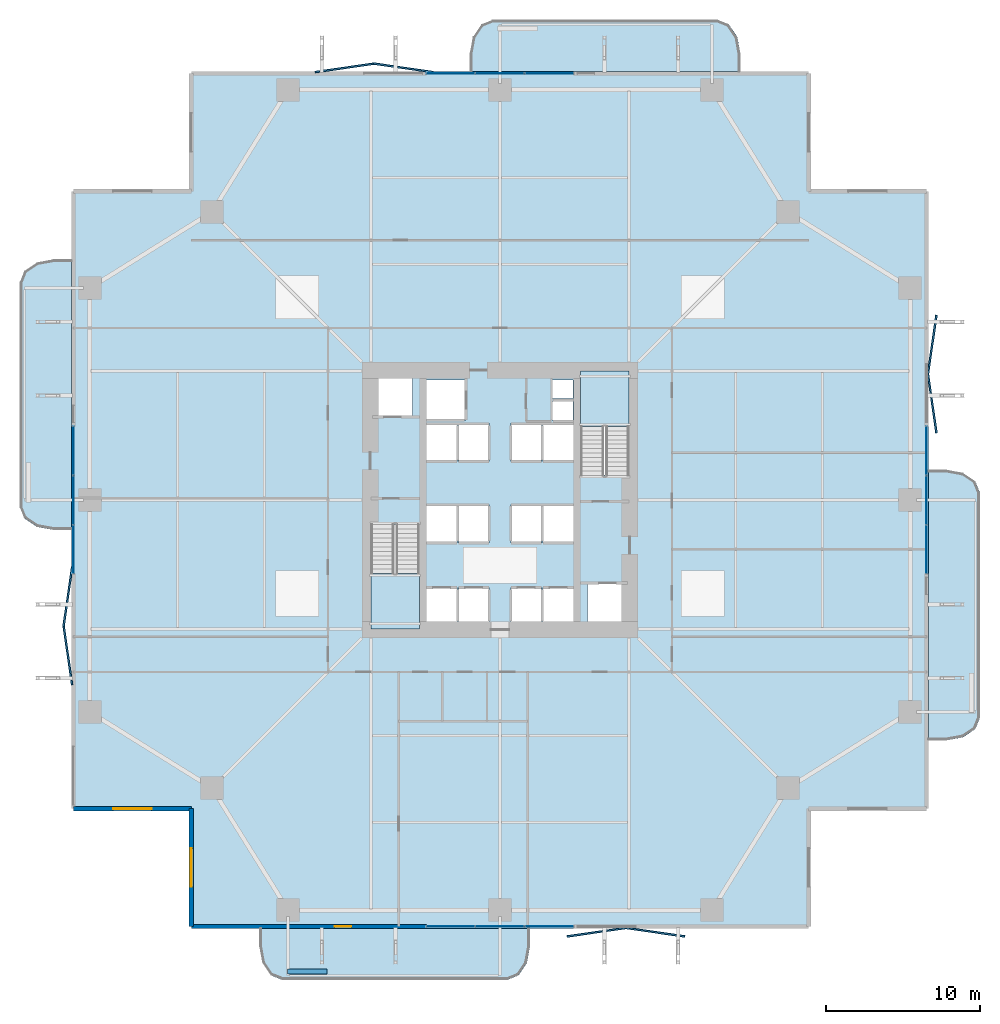
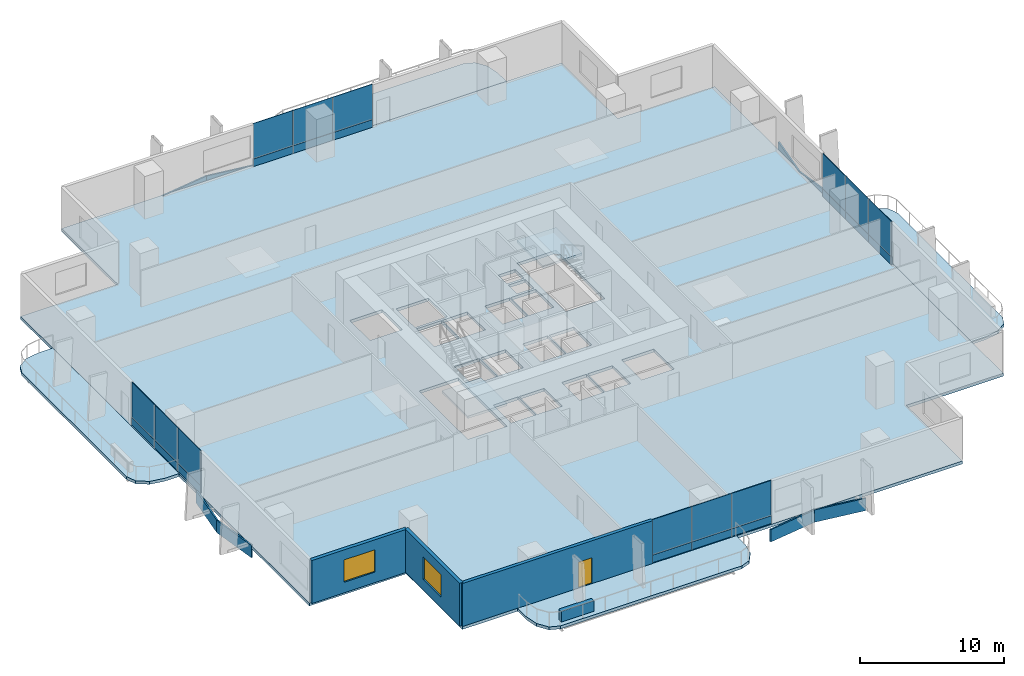
# One storey, part 16 of 23: 32 plates, 7 slabs, 4 walls, 2 windows, 1 door, 3 openings, 6 elements without a shape of their own.
"""IFC4 building model written with IfcOpenShell, lengths in metres."""

from ifc_helpers import new_model, si_unit, direction, frame, frame_2d, origin, origin_2d, place, context, subcontext, project, spatial, polyline, rectangle, outline, extrude, material, layer, layer_set, type_object, element, fill, aggregate, save


model = new_model("IFC4")

# Units and contexts
model_context = context("Model", 3, precision=1e-05, world=origin(), true_north=direction((0.0, 1.0)))
body_context = subcontext(model_context, "Body", "Model", "MODEL_VIEW")
ifc_project = project(units=[si_unit("LENGTHUNIT", "METRE"), si_unit("AREAUNIT", "SQUARE_METRE"), si_unit("VOLUMEUNIT", "CUBIC_METRE"), si_unit("PLANEANGLEUNIT", "RADIAN"), si_unit("MASSUNIT", "GRAM", prefix="KILO")], contexts=[model_context])

# Site, building, storey
site_placement = place(None, origin())
site = spatial("IfcSite", under=ifc_project, at=site_placement, CompositionType="ELEMENT")
building_placement = place(site_placement, origin())
building = spatial("IfcBuilding", under=site, at=building_placement, Name="Belovzor Exchange Tower", CompositionType="ELEMENT")
storey_placement = place(building_placement, frame((0.0, 0.0, 65.10009765625)))
storey = spatial("IfcBuildingStorey", under=building, at=storey_placement, Name="L15", CompositionType="ELEMENT", Elevation=65.10009765625)

# Slab
ifc_material_1 = material(Name="Concrete C40/50", Category="concrete")
ifc_layer_1 = layer(ifc_material_1, 0.25)
ifc_layer_set_1 = layer_set([ifc_layer_1], Name="Concrete C40/50")
slab_type_1 = type_object("IfcSlabType", Name="Composite Concrete Floor Deck Slab 250", PredefinedType="FLOOR", material=ifc_layer_set_1)
slab_1_placement = place(storey_placement, frame((0.0, 0.0, -0.25)))
element("IfcSlab", 1, at=slab_1_placement, inside=storey, type_object=slab_type_1, Name="SL-F250 Structural Slab L15", PredefinedType="FLOOR", context=body_context, shape_type="SweptSolid", body=[
    extrude(outline(polyline([(8.699951171875, 0.89990234375), (48.89990234375, 0.89990234375), (48.89990234375, 8.699951171875), (56.699951171875, 8.699951171875), (56.699951171875, 48.89990234375), (48.89990234375, 48.89990234375), (48.89990234375, 56.699951171875), (8.699951171875, 56.699951171875), (8.699951171875, 48.89990234375), (0.89990234375, 48.89990234375), (0.89990234375, 8.699951171875), (8.699951171875, 8.699951171875), (8.699951171875, 0.89990234375)]), holes=[polyline([(20.39990234375, 27.175048828125), (20.39990234375, 20.39990234375), (23.550048828125, 20.39990234375), (23.550048828125, 27.175048828125), (20.39990234375, 27.175048828125)]), polyline([(37.199951171875, 30.425048828125), (37.199951171875, 37.199951171875), (34.050048828125, 37.199951171875), (34.050048828125, 30.425048828125), (37.199951171875, 30.425048828125)]), polyline([(20.5, 34.199951171875), (23.10009765625, 34.199951171875), (23.10009765625, 37.0), (20.5, 37.0), (20.5, 34.199951171875)]), polyline([(34.5, 20.60009765625), (37.10009765625, 20.60009765625), (37.10009765625, 23.39990234375), (34.5, 23.39990234375), (34.5, 20.60009765625)]), polyline([(24.0, 34.0), (26.60009765625, 34.0), (26.60009765625, 36.60009765625), (24.0, 36.60009765625), (24.0, 34.0)]), polyline([(24.0, 20.60009765625), (26.0, 20.60009765625), (26.0, 23.10009765625), (24.0, 23.10009765625), (24.0, 20.60009765625)]), polyline([(26.10009765625, 20.60009765625), (28.10009765625, 20.60009765625), (28.10009765625, 23.10009765625), (26.10009765625, 23.10009765625), (26.10009765625, 20.60009765625)]), polyline([(29.5, 20.60009765625), (31.5, 20.60009765625), (31.5, 23.10009765625), (29.5, 23.10009765625), (29.5, 20.60009765625)]), polyline([(31.60009765625, 20.60009765625), (33.60009765625, 20.60009765625), (33.60009765625, 23.10009765625), (31.60009765625, 23.10009765625), (31.60009765625, 20.60009765625)]), polyline([(24.0, 26.0), (26.0, 26.0), (26.0, 28.5), (24.0, 28.5), (24.0, 26.0)]), polyline([(26.10009765625, 26.0), (28.10009765625, 26.0), (28.10009765625, 28.5), (26.10009765625, 28.5), (26.10009765625, 26.0)]), polyline([(29.5, 26.0), (31.5, 26.0), (31.5, 28.5), (29.5, 28.5), (29.5, 26.0)]), polyline([(31.60009765625, 26.0), (33.60009765625, 26.0), (33.60009765625, 28.5), (31.60009765625, 28.5), (31.60009765625, 26.0)]), polyline([(24.0, 31.300048828125), (26.0, 31.300048828125), (26.0, 33.800048828125), (24.0, 33.800048828125), (24.0, 31.300048828125)]), polyline([(26.10009765625, 31.300048828125), (28.10009765625, 31.300048828125), (28.10009765625, 33.800048828125), (26.10009765625, 33.800048828125), (26.10009765625, 31.300048828125)]), polyline([(29.5, 31.300048828125), (31.5, 31.300048828125), (31.5, 33.800048828125), (29.5, 33.800048828125), (29.5, 31.300048828125)]), polyline([(31.60009765625, 31.300048828125), (33.60009765625, 31.300048828125), (33.60009765625, 33.800048828125), (31.60009765625, 33.800048828125), (31.60009765625, 31.300048828125)]), polyline([(32.199951171875, 34.0), (33.550048828125, 34.0), (33.550048828125, 35.199951171875), (32.199951171875, 35.199951171875), (32.199951171875, 34.0)]), polyline([(32.199951171875, 35.39990234375), (33.550048828125, 35.39990234375), (33.550048828125, 36.60009765625), (32.199951171875, 36.60009765625), (32.199951171875, 35.39990234375)])]), origin(), (0.0, 0.0, 1.0), 0.25),
])

# Plates
ifc_material_2 = material(Name="Extruded Architectural Terracotta", Category="masonry")
ifc_layer_2 = layer(ifc_material_2, 0.1201171875)
ifc_layer_set_2 = layer_set([ifc_layer_2], Name="Extruded Architectural Terracotta")
plate_type_1 = type_object("IfcPlateType", Name="Folded Zigzag Terracotta Spandrel Louvre 80", PredefinedType="USERDEFINED", material=ifc_layer_set_2)
for number, where, z_axis, x_axis, name in (
    (2, (18.699951171875, 56.93505859375, -1.03515625), (0.0, 0.0, 1.0), (0.989686419138, 0.143250800258, 0.0), "LVR-ZZ1 Zigzag Terracotta Spandrel Louvre L15 N1A"),
    (3, (22.5, 56.93505859375, -1.03515625), (0.0, 0.0, 1.0), (0.989686419138, -0.143250800258, 0.0), "LVR-ZZ1 Zigzag Terracotta Spandrel Louvre L15 N1B"),
    (4, (0.6650390625, 18.699951171875, -1.03515625), (0.0, 0.0, 1.0), (-0.143250800258, 0.989686419138, 0.0), "LVR-ZZ1 Zigzag Terracotta Spandrel Louvre L15 W1A"),
    (5, (0.6650390625, 22.5, -1.03515625), (0.0, 0.0, 1.0), (0.143250800258, 0.989686419138, 0.0), "LVR-ZZ1 Zigzag Terracotta Spandrel Louvre L15 W1B"),
    (6, (35.10009765625, 0.6650390625, -1.03515625), (0.0, 0.0, 1.0), (0.989686419138, 0.143250800258, 0.0), "LVR-ZZ1 Zigzag Terracotta Spandrel Louvre L15 S2A"),
    (7, (38.89990234375, 0.6650390625, -1.03515625), (0.0, 0.0, 1.0), (0.989686419138, -0.143250800258, 0.0), "LVR-ZZ1 Zigzag Terracotta Spandrel Louvre L15 S2B"),
    (8, (56.93505859375, 35.10009765625, -1.03515625), (0.0, 0.0, 1.0), (-0.143250800258, 0.989686419138, 0.0), "LVR-ZZ1 Zigzag Terracotta Spandrel Louvre L15 E2A"),
    (9, (56.93505859375, 38.89990234375, -1.03515625), (0.0, 0.0, 1.0), (0.143250800258, 0.989686419138, 0.0), "LVR-ZZ1 Zigzag Terracotta Spandrel Louvre L15 E2B"),
):
    element("IfcPlate", number, at=place(storey_placement, frame(where, z_axis=z_axis, x_axis=x_axis)), inside=storey, type_object=plate_type_1, Name=name, ObjectType="SPANDREL_LOUVRE", PredefinedType="USERDEFINED", context=body_context, shape_type="SweptSolid", body=[
        extrude(rectangle(XDim=3.919921875, YDim=0.1201171875, at=origin_2d()), origin(), (0.0, 0.0, 1.0), 1.050048828125),
    ])

# Curtain wall, plates
ifc_material_3 = material(Name="Anodised Aluminium Framing", Category="aluminium")
ifc_layer_3 = layer(ifc_material_3, 0.179931640625)
ifc_layer_set_3 = layer_set([ifc_layer_3], Name="Anodised Aluminium Framing")
curtain_wall_type = type_object("IfcCurtainWallType", Name="Recessed Loggia Low-Iron Triple-Glazed Curtain Wall", PredefinedType="NOTDEFINED", material=ifc_layer_set_3)
curtain_wall_1_placement = place(storey_placement, origin())
curtain_wall_1 = element("IfcCurtainWall", 10, at=curtain_wall_1_placement, inside=storey, type_object=curtain_wall_type, Name="CW3 Recessed Loggia Low-Iron Triple-Glazed Curtain Wall L15", PredefinedType="NOTDEFINED")
ifc_material_4 = material(Name="Solar-Control Triple Glazing", Category="glass")
ifc_layer_4 = layer(ifc_material_4, 0.0439453125)
ifc_layer_set_4 = layer_set([ifc_layer_4], Name="Solar-Control Triple Glazing")
plate_type_2 = type_object("IfcPlateType", Name="Insulated Solar Glazing Curtain Panel 44", PredefinedType="CURTAIN_PANEL", material=ifc_layer_set_4)
plate_1_placement = place(storey_placement, frame((32.0, 1.030029296875, 0.65185546875), z_axis=(0.0, 0.0, 1.0), x_axis=(-1.0, 0.0, 0.0)))
plate_1 = element("IfcPlate", 11, at=plate_1_placement, type_object=plate_type_2, Name="GLZ-44 Glazed Curtain Panel 1", PredefinedType="CURTAIN_PANEL", context=body_context, shape_type="SweptSolid", body=[
    extrude(rectangle(XDim=3.18408203125, YDim=0.0439453125, at=origin_2d()), origin(), (0.0, 0.0, 1.0), 2.998046875),
])
plate_2_placement = place(storey_placement, frame((28.800048828125, 1.030029296875, 0.65185546875), z_axis=(0.0, 0.0, 1.0), x_axis=(-1.0, 0.0, 0.0)))
plate_2 = element("IfcPlate", 12, at=plate_2_placement, type_object=plate_type_2, Name="GLZ-44 Glazed Curtain Panel 2", PredefinedType="CURTAIN_PANEL", context=body_context, shape_type="SweptSolid", body=[
    extrude(rectangle(XDim=3.18408203125, YDim=0.0439453125, at=origin_2d()), origin(), (0.0, 0.0, 1.0), 2.998046875),
])
plate_3_placement = place(storey_placement, frame((25.60009765625, 1.030029296875, 0.65185546875), z_axis=(0.0, 0.0, 1.0), x_axis=(-1.0, 0.0, 0.0)))
plate_3 = element("IfcPlate", 13, at=plate_3_placement, type_object=plate_type_2, Name="GLZ-44 Glazed Curtain Panel 3", PredefinedType="CURTAIN_PANEL", context=body_context, shape_type="SweptSolid", body=[
    extrude(rectangle(XDim=3.18408203125, YDim=0.0439453125, at=origin_2d()), origin(), (0.0, 0.0, 1.0), 2.998046875),
])

curtain_wall_2_placement = place(storey_placement, origin())
curtain_wall_2 = element("IfcCurtainWall", 14, at=curtain_wall_2_placement, inside=storey, type_object=curtain_wall_type, Name="CW3 Recessed Loggia Low-Iron Triple-Glazed Curtain Wall L15", PredefinedType="NOTDEFINED")
plate_4_placement = place(storey_placement, frame((25.60009765625, 56.570068359375, 0.65185546875), z_axis=(0.0, 0.0, 1.0), x_axis=(1.0, 0.0, 0.0)))
plate_4 = element("IfcPlate", 15, at=plate_4_placement, type_object=plate_type_2, Name="GLZ-44 Glazed Curtain Panel 1", PredefinedType="CURTAIN_PANEL", context=body_context, shape_type="SweptSolid", body=[
    extrude(rectangle(XDim=3.18408203125, YDim=0.0439453125, at=origin_2d()), origin(), (0.0, 0.0, 1.0), 2.998046875),
])
plate_5_placement = place(storey_placement, frame((28.800048828125, 56.570068359375, 0.65185546875), z_axis=(0.0, 0.0, 1.0), x_axis=(1.0, 0.0, 0.0)))
plate_5 = element("IfcPlate", 16, at=plate_5_placement, type_object=plate_type_2, Name="GLZ-44 Glazed Curtain Panel 2", PredefinedType="CURTAIN_PANEL", context=body_context, shape_type="SweptSolid", body=[
    extrude(rectangle(XDim=3.18408203125, YDim=0.0439453125, at=origin_2d()), origin(), (0.0, 0.0, 1.0), 2.998046875),
])
plate_6_placement = place(storey_placement, frame((32.0, 56.570068359375, 0.65185546875), z_axis=(0.0, 0.0, 1.0), x_axis=(1.0, 0.0, 0.0)))
plate_6 = element("IfcPlate", 17, at=plate_6_placement, type_object=plate_type_2, Name="GLZ-44 Glazed Curtain Panel 3", PredefinedType="CURTAIN_PANEL", context=body_context, shape_type="SweptSolid", body=[
    extrude(rectangle(XDim=3.18408203125, YDim=0.0439453125, at=origin_2d()), origin(), (0.0, 0.0, 1.0), 2.998046875),
])

curtain_wall_3_placement = place(storey_placement, origin())
curtain_wall_3 = element("IfcCurtainWall", 18, at=curtain_wall_3_placement, inside=storey, type_object=curtain_wall_type, Name="CW3 Recessed Loggia Low-Iron Triple-Glazed Curtain Wall L15", PredefinedType="NOTDEFINED")
plate_7_placement = place(storey_placement, frame((1.030029296875, 25.60009765625, 0.65185546875), z_axis=(0.0, 0.0, 1.0), x_axis=(0.0, 1.0, 0.0)))
plate_7 = element("IfcPlate", 19, at=plate_7_placement, type_object=plate_type_2, Name="GLZ-44 Glazed Curtain Panel 1", PredefinedType="CURTAIN_PANEL", context=body_context, shape_type="SweptSolid", body=[
    extrude(rectangle(XDim=3.18408203125, YDim=0.0439453125, at=origin_2d()), origin(), (0.0, 0.0, 1.0), 2.998046875),
])
plate_8_placement = place(storey_placement, frame((1.030029296875, 28.800048828125, 0.65185546875), z_axis=(0.0, 0.0, 1.0), x_axis=(0.0, 1.0, 0.0)))
plate_8 = element("IfcPlate", 20, at=plate_8_placement, type_object=plate_type_2, Name="GLZ-44 Glazed Curtain Panel 2", PredefinedType="CURTAIN_PANEL", context=body_context, shape_type="SweptSolid", body=[
    extrude(rectangle(XDim=3.18408203125, YDim=0.0439453125, at=origin_2d()), origin(), (0.0, 0.0, 1.0), 2.998046875),
])
plate_9_placement = place(storey_placement, frame((1.030029296875, 32.0, 0.65185546875), z_axis=(0.0, 0.0, 1.0), x_axis=(0.0, 1.0, 0.0)))
plate_9 = element("IfcPlate", 21, at=plate_9_placement, type_object=plate_type_2, Name="GLZ-44 Glazed Curtain Panel 3", PredefinedType="CURTAIN_PANEL", context=body_context, shape_type="SweptSolid", body=[
    extrude(rectangle(XDim=3.18408203125, YDim=0.0439453125, at=origin_2d()), origin(), (0.0, 0.0, 1.0), 2.998046875),
])

curtain_wall_4_placement = place(storey_placement, origin())
curtain_wall_4 = element("IfcCurtainWall", 22, at=curtain_wall_4_placement, inside=storey, type_object=curtain_wall_type, Name="CW3 Recessed Loggia Low-Iron Triple-Glazed Curtain Wall L15", PredefinedType="NOTDEFINED")
plate_10_placement = place(storey_placement, frame((56.570068359375, 32.0, 0.65185546875), z_axis=(0.0, 0.0, 1.0), x_axis=(0.0, -1.0, 0.0)))
plate_10 = element("IfcPlate", 23, at=plate_10_placement, type_object=plate_type_2, Name="GLZ-44 Glazed Curtain Panel 1", PredefinedType="CURTAIN_PANEL", context=body_context, shape_type="SweptSolid", body=[
    extrude(rectangle(XDim=3.18408203125, YDim=0.0439453125, at=origin_2d()), origin(), (0.0, 0.0, 1.0), 2.998046875),
])
plate_11_placement = place(storey_placement, frame((56.570068359375, 28.800048828125, 0.65185546875), z_axis=(0.0, 0.0, 1.0), x_axis=(0.0, -1.0, 0.0)))
plate_11 = element("IfcPlate", 24, at=plate_11_placement, type_object=plate_type_2, Name="GLZ-44 Glazed Curtain Panel 2", PredefinedType="CURTAIN_PANEL", context=body_context, shape_type="SweptSolid", body=[
    extrude(rectangle(XDim=3.18408203125, YDim=0.0439453125, at=origin_2d()), origin(), (0.0, 0.0, 1.0), 2.998046875),
])
plate_12_placement = place(storey_placement, frame((56.570068359375, 25.60009765625, 0.65185546875), z_axis=(0.0, 0.0, 1.0), x_axis=(0.0, -1.0, 0.0)))
plate_12 = element("IfcPlate", 25, at=plate_12_placement, type_object=plate_type_2, Name="GLZ-44 Glazed Curtain Panel 3", PredefinedType="CURTAIN_PANEL", context=body_context, shape_type="SweptSolid", body=[
    extrude(rectangle(XDim=3.18408203125, YDim=0.0439453125, at=origin_2d()), origin(), (0.0, 0.0, 1.0), 2.998046875),
])

# Stair, slab
ifc_material_5 = material(Name="Concrete C40/50", Category="concrete")
stair_type = type_object("IfcStairType", Name="Reinforced Concrete Dogleg Escape Stair 1350", PredefinedType="HALF_TURN_STAIR", material=ifc_material_5)
stair_1_placement = place(storey_placement, origin())
stair_1 = element("IfcStair", 26, at=stair_1_placement, inside=storey, type_object=stair_type, Name="L15 ST-1", PredefinedType="HALF_TURN_STAIR")
ifc_material_6 = material(Name="Concrete C40/50", Category="concrete")
ifc_layer_5 = layer(ifc_material_6, 0.199951171875)
ifc_layer_set_5 = layer_set([ifc_layer_5], Name="Concrete C40/50")
slab_type_2 = type_object("IfcSlabType", Name="Reinforced Concrete Stair Half-Landing Slab 200", PredefinedType="LANDING", material=ifc_layer_set_5)
slab_2_placement = place(storey_placement, frame((0.0, 0.0, 1.75)))
slab_2 = element("IfcSlab", 27, at=slab_2_placement, type_object=slab_type_2, Name="ST-1 landing 1", PredefinedType="LANDING", context=body_context, shape_type="SweptSolid", body=[
    extrude(outline(polyline([(20.39990234375, 24.010009765625), (20.39990234375, 20.39990234375), (23.550048828125, 20.39990234375), (23.550048828125, 24.010009765625), (20.39990234375, 24.010009765625)])), origin(), (0.0, 0.0, 1.0), 0.199951171875),
])
aggregate(stair_1, [slab_2])

stair_2_placement = place(storey_placement, origin())
stair_2 = element("IfcStair", 28, at=stair_2_placement, inside=storey, type_object=stair_type, Name="L15 ST-2", PredefinedType="HALF_TURN_STAIR")
slab_3_placement = place(storey_placement, frame((0.0, 0.0, 1.75)))
slab_3 = element("IfcSlab", 29, at=slab_3_placement, type_object=slab_type_2, Name="ST-2 landing 1", PredefinedType="LANDING", context=body_context, shape_type="SweptSolid", body=[
    extrude(outline(polyline([(37.199951171875, 33.590087890625), (37.199951171875, 37.199951171875), (34.050048828125, 37.199951171875), (34.050048828125, 33.590087890625), (37.199951171875, 33.590087890625)])), origin(), (0.0, 0.0, 1.0), 0.199951171875),
])
aggregate(stair_2, [slab_3])

# Plate
ifc_material_7 = material(Name="Extruded Architectural Terracotta", Category="masonry")
ifc_layer_6 = layer(ifc_material_7, 0.090087890625)
ifc_layer_set_6 = layer_set([ifc_layer_6], Name="Extruded Architectural Terracotta")
plate_type_3 = type_object("IfcPlateType", Name="Terracotta Shadow-Box Spandrel Panel 90", PredefinedType="CURTAIN_PANEL", material=ifc_layer_set_6)
plate_13_placement = place(storey_placement, frame((32.0, 1.030029296875, 0.0), z_axis=(0.0, 0.0, 1.0), x_axis=(-1.0, 0.0, 0.0)))
plate_13 = element("IfcPlate", 30, at=plate_13_placement, type_object=plate_type_3, Name="SPD-90 Spandrel Panel 1", PredefinedType="CURTAIN_PANEL", context=body_context, shape_type="SweptSolid", body=[
    extrude(rectangle(XDim=3.18408203125, YDim=0.090087890625, at=origin_2d()), origin(), (0.0, 0.0, 1.0), 0.64794921875),
])

plate_14_placement = place(storey_placement, frame((28.800048828125, 1.030029296875, 0.0), z_axis=(0.0, 0.0, 1.0), x_axis=(-1.0, 0.0, 0.0)))
plate_14 = element("IfcPlate", 31, at=plate_14_placement, type_object=plate_type_3, Name="SPD-90 Spandrel Panel 2", PredefinedType="CURTAIN_PANEL", context=body_context, shape_type="SweptSolid", body=[
    extrude(rectangle(XDim=3.18408203125, YDim=0.090087890625, at=origin_2d()), origin(), (0.0, 0.0, 1.0), 0.64794921875),
])

plate_15_placement = place(storey_placement, frame((25.60009765625, 1.030029296875, 0.0), z_axis=(0.0, 0.0, 1.0), x_axis=(-1.0, 0.0, 0.0)))
plate_15 = element("IfcPlate", 32, at=plate_15_placement, type_object=plate_type_3, Name="SPD-90 Spandrel Panel 3", PredefinedType="CURTAIN_PANEL", context=body_context, shape_type="SweptSolid", body=[
    extrude(rectangle(XDim=3.18408203125, YDim=0.090087890625, at=origin_2d()), origin(), (0.0, 0.0, 1.0), 0.64794921875),
])

aggregate(curtain_wall_1, [plate_13, plate_1, plate_14, plate_2, plate_15, plate_3])

plate_16_placement = place(storey_placement, frame((25.60009765625, 56.570068359375, 0.0), z_axis=(0.0, 0.0, 1.0), x_axis=(1.0, 0.0, 0.0)))
plate_16 = element("IfcPlate", 33, at=plate_16_placement, type_object=plate_type_3, Name="SPD-90 Spandrel Panel 1", PredefinedType="CURTAIN_PANEL", context=body_context, shape_type="SweptSolid", body=[
    extrude(rectangle(XDim=3.18408203125, YDim=0.090087890625, at=origin_2d()), origin(), (0.0, 0.0, 1.0), 0.64794921875),
])

plate_17_placement = place(storey_placement, frame((28.800048828125, 56.570068359375, 0.0), z_axis=(0.0, 0.0, 1.0), x_axis=(1.0, 0.0, 0.0)))
plate_17 = element("IfcPlate", 34, at=plate_17_placement, type_object=plate_type_3, Name="SPD-90 Spandrel Panel 2", PredefinedType="CURTAIN_PANEL", context=body_context, shape_type="SweptSolid", body=[
    extrude(rectangle(XDim=3.18408203125, YDim=0.090087890625, at=origin_2d()), origin(), (0.0, 0.0, 1.0), 0.64794921875),
])

plate_18_placement = place(storey_placement, frame((32.0, 56.570068359375, 0.0), z_axis=(0.0, 0.0, 1.0), x_axis=(1.0, 0.0, 0.0)))
plate_18 = element("IfcPlate", 35, at=plate_18_placement, type_object=plate_type_3, Name="SPD-90 Spandrel Panel 3", PredefinedType="CURTAIN_PANEL", context=body_context, shape_type="SweptSolid", body=[
    extrude(rectangle(XDim=3.18408203125, YDim=0.090087890625, at=origin_2d()), origin(), (0.0, 0.0, 1.0), 0.64794921875),
])

aggregate(curtain_wall_2, [plate_16, plate_4, plate_17, plate_5, plate_18, plate_6])

plate_19_placement = place(storey_placement, frame((1.030029296875, 25.60009765625, 0.0), z_axis=(0.0, 0.0, 1.0), x_axis=(0.0, 1.0, 0.0)))
plate_19 = element("IfcPlate", 36, at=plate_19_placement, type_object=plate_type_3, Name="SPD-90 Spandrel Panel 1", PredefinedType="CURTAIN_PANEL", context=body_context, shape_type="SweptSolid", body=[
    extrude(rectangle(XDim=3.18408203125, YDim=0.090087890625, at=origin_2d()), origin(), (0.0, 0.0, 1.0), 0.64794921875),
])

plate_20_placement = place(storey_placement, frame((1.030029296875, 28.800048828125, 0.0), z_axis=(0.0, 0.0, 1.0), x_axis=(0.0, 1.0, 0.0)))
plate_20 = element("IfcPlate", 37, at=plate_20_placement, type_object=plate_type_3, Name="SPD-90 Spandrel Panel 2", PredefinedType="CURTAIN_PANEL", context=body_context, shape_type="SweptSolid", body=[
    extrude(rectangle(XDim=3.18408203125, YDim=0.090087890625, at=origin_2d()), origin(), (0.0, 0.0, 1.0), 0.64794921875),
])

plate_21_placement = place(storey_placement, frame((1.030029296875, 32.0, 0.0), z_axis=(0.0, 0.0, 1.0), x_axis=(0.0, 1.0, 0.0)))
plate_21 = element("IfcPlate", 38, at=plate_21_placement, type_object=plate_type_3, Name="SPD-90 Spandrel Panel 3", PredefinedType="CURTAIN_PANEL", context=body_context, shape_type="SweptSolid", body=[
    extrude(rectangle(XDim=3.18408203125, YDim=0.090087890625, at=origin_2d()), origin(), (0.0, 0.0, 1.0), 0.64794921875),
])

aggregate(curtain_wall_3, [plate_19, plate_7, plate_20, plate_8, plate_21, plate_9])

plate_22_placement = place(storey_placement, frame((56.570068359375, 32.0, 0.0), z_axis=(0.0, 0.0, 1.0), x_axis=(0.0, -1.0, 0.0)))
plate_22 = element("IfcPlate", 39, at=plate_22_placement, type_object=plate_type_3, Name="SPD-90 Spandrel Panel 1", PredefinedType="CURTAIN_PANEL", context=body_context, shape_type="SweptSolid", body=[
    extrude(rectangle(XDim=3.18408203125, YDim=0.090087890625, at=origin_2d()), origin(), (0.0, 0.0, 1.0), 0.64794921875),
])

plate_23_placement = place(storey_placement, frame((56.570068359375, 28.800048828125, 0.0), z_axis=(0.0, 0.0, 1.0), x_axis=(0.0, -1.0, 0.0)))
plate_23 = element("IfcPlate", 40, at=plate_23_placement, type_object=plate_type_3, Name="SPD-90 Spandrel Panel 2", PredefinedType="CURTAIN_PANEL", context=body_context, shape_type="SweptSolid", body=[
    extrude(rectangle(XDim=3.18408203125, YDim=0.090087890625, at=origin_2d()), origin(), (0.0, 0.0, 1.0), 0.64794921875),
])

plate_24_placement = place(storey_placement, frame((56.570068359375, 25.60009765625, 0.0), z_axis=(0.0, 0.0, 1.0), x_axis=(0.0, -1.0, 0.0)))
plate_24 = element("IfcPlate", 41, at=plate_24_placement, type_object=plate_type_3, Name="SPD-90 Spandrel Panel 3", PredefinedType="CURTAIN_PANEL", context=body_context, shape_type="SweptSolid", body=[
    extrude(rectangle(XDim=3.18408203125, YDim=0.090087890625, at=origin_2d()), origin(), (0.0, 0.0, 1.0), 0.64794921875),
])

aggregate(curtain_wall_4, [plate_22, plate_10, plate_23, plate_11, plate_24, plate_12])

# Slabs
ifc_material_8 = material(Name="Concrete C40/50", Category="concrete")
ifc_layer_7 = layer(ifc_material_8, 0.25)
ifc_layer_set_7 = layer_set([ifc_layer_7], Name="Concrete C40/50")
slab_type_3 = type_object("IfcSlabType", Name="Thermally Broken Planted Balcony Slab 250", PredefinedType="FLOOR", material=ifc_layer_set_7)
slab_4_placement = place(storey_placement, frame((0.0, 0.0, -0.25)))
element("IfcSlab", 42, at=slab_4_placement, inside=storey, type_object=slab_type_3, Name="SL-BAL220 Planted Balcony Loggia L15 South", PredefinedType="FLOOR", context=body_context, shape_type="SweptSolid", body=[
    extrude(outline(polyline([(13.14990234375, 0.9150390625), (13.14990234375, -0.25), (13.35107421875, -1.35009765625), (13.89990234375, -2.155029296875), (14.64990234375, -2.449951171875), (29.25, -2.449951171875), (30.0, -2.155029296875), (30.549072265625, -1.35009765625), (30.75, -0.25), (30.75, 0.9150390625), (13.14990234375, 0.9150390625)])), origin(), (0.0, 0.0, 1.0), 0.25),
])
slab_5_placement = place(storey_placement, frame((0.0, 0.0, -0.25)))
element("IfcSlab", 43, at=slab_5_placement, inside=storey, type_object=slab_type_3, Name="SL-BAL220 Planted Balcony Loggia L15 North", PredefinedType="FLOOR", context=body_context, shape_type="SweptSolid", body=[
    extrude(outline(polyline([(44.449951171875, 56.68505859375), (44.449951171875, 57.85009765625), (44.2490234375, 58.949951171875), (43.699951171875, 59.7548828125), (42.949951171875, 60.050048828125), (28.35009765625, 60.050048828125), (27.60009765625, 59.7548828125), (27.051025390625, 58.949951171875), (26.85009765625, 57.85009765625), (26.85009765625, 56.68505859375), (44.449951171875, 56.68505859375)])), origin(), (0.0, 0.0, 1.0), 0.25),
])
slab_6_placement = place(storey_placement, frame((0.0, 0.0, -0.25)))
element("IfcSlab", 44, at=slab_6_placement, inside=storey, type_object=slab_type_3, Name="SL-BAL220 Planted Balcony Loggia L15 East", PredefinedType="FLOOR", context=body_context, shape_type="SweptSolid", body=[
    extrude(outline(polyline([(56.68505859375, 13.14990234375), (57.85009765625, 13.14990234375), (58.949951171875, 13.35107421875), (59.7548828125, 13.89990234375), (60.050048828125, 14.64990234375), (60.050048828125, 29.25), (59.7548828125, 30.0), (58.949951171875, 30.549072265625), (57.85009765625, 30.75), (56.68505859375, 30.75), (56.68505859375, 13.14990234375)])), origin(), (0.0, 0.0, 1.0), 0.25),
])
slab_7_placement = place(storey_placement, frame((0.0, 0.0, -0.25)))
element("IfcSlab", 45, at=slab_7_placement, inside=storey, type_object=slab_type_3, Name="SL-BAL220 Planted Balcony Loggia L15 West", PredefinedType="FLOOR", context=body_context, shape_type="SweptSolid", body=[
    extrude(outline(polyline([(0.9150390625, 44.449951171875), (-0.25, 44.449951171875), (-1.35009765625, 44.2490234375), (-2.155029296875, 43.699951171875), (-2.449951171875, 42.949951171875), (-2.449951171875, 28.35009765625), (-2.155029296875, 27.60009765625), (-1.35009765625, 27.051025390625), (-0.25, 26.85009765625), (0.9150390625, 26.85009765625), (0.9150390625, 44.449951171875)])), origin(), (0.0, 0.0, 1.0), 0.25),
])

# Wall, opening, window
ifc_material_9 = material(Name="Precast concrete C40/50", Category="concrete")
ifc_layer_8 = layer(ifc_material_9, 0.280029296875)
ifc_layer_set_8 = layer_set([ifc_layer_8], Name="Precast concrete C40/50")
wall_type_1 = type_object("IfcWallType", Name="Precast Concrete Notched Corner Frame Wall 280", PredefinedType="SOLIDWALL", material=ifc_layer_set_8)
wall_1_placement = place(storey_placement, frame((8.699951171875, 1.030029296875, 0.0), z_axis=(0.0, 0.0, 1.0), x_axis=(0.0, 1.0, 0.0)))
wall_1 = element("IfcWall", 46, at=wall_1_placement, inside=storey, type_object=wall_type_1, Name="W-CRN280 Precast Concrete Notched Corner Frame Wall 280 L15", PredefinedType="SOLIDWALL", context=body_context, shape_type="SweptSolid", body=[
    extrude(rectangle(XDim=7.669921875, YDim=0.280029296875, at=frame_2d((3.8349609375, 0.0))), origin(), (0.0, 0.0, 1.0), 3.64990234375),
])
opening_1_placement = place(wall_1_placement, frame((2.5849609375, 0.0, 0.89990234375)))
opening_1 = element("IfcOpeningElement", 47, at=opening_1_placement, cuts=wall_1, Name="Opening WN-CRN250", PredefinedType="OPENING", context=body_context, shape_type="SweptSolid", body=[
    extrude(rectangle(XDim=2.5, YDim=1.89990234375, at=frame_2d((1.25, 0.949951171875))), frame((0.0, 0.14990234375, 0.0), z_axis=(0.0, -1.0, 0.0), x_axis=(1.0, 0.0, 0.0)), (0.0, 0.0, 1.0), 0.300048828125),
])
ifc_material_10 = material(Name="Thermally Broken Aluminium and Triple Glazing", Category="aluminium")
window_type = type_object("IfcWindowType", Name="Streamline Moderne Corner Wrap Ribbon Window 2500x1900", PartitioningType="SINGLE_PANEL", PredefinedType="WINDOW", material=ifc_material_10)
window_1_placement = place(opening_1_placement, origin())
window_1 = element("IfcWindow", 48, at=window_1_placement, inside=storey, type_object=window_type, Name="WN-CRN250 Streamline Moderne Corner Wrap Ribbon Window 2500x1900", OverallHeight=1.89990234375, OverallWidth=2.5, PartitioningType="SINGLE_PANEL", PredefinedType="WINDOW", context=body_context, shape_type="SweptSolid", body=[
    extrude(rectangle(XDim=2.5, YDim=1.89990234375, at=frame_2d((1.25, 0.949951171875))), frame((0.0, 0.030029296875, 0.0), z_axis=(0.0, -1.0, 0.0), x_axis=(1.0, 0.0, 0.0)), (0.0, 0.0, 1.0), 0.06005859375),
])
fill(opening_1, window_1)

wall_2_placement = place(storey_placement, frame((8.699951171875, 8.699951171875, 0.0), z_axis=(0.0, 0.0, 1.0), x_axis=(-1.0, 0.0, 0.0)))
wall_2 = element("IfcWall", 49, at=wall_2_placement, inside=storey, type_object=wall_type_1, Name="W-CRN280 Precast Concrete Notched Corner Frame Wall 280 L15", PredefinedType="SOLIDWALL", context=body_context, shape_type="SweptSolid", body=[
    extrude(rectangle(XDim=7.669921875, YDim=0.280029296875, at=frame_2d((3.8349609375, 0.0))), origin(), (0.0, 0.0, 1.0), 3.64990234375),
])
opening_2_placement = place(wall_2_placement, frame((2.5849609375, 0.0, 0.89990234375)))
opening_2 = element("IfcOpeningElement", 50, at=opening_2_placement, cuts=wall_2, Name="Opening WN-CRN250", PredefinedType="OPENING", context=body_context, shape_type="SweptSolid", body=[
    extrude(rectangle(XDim=2.5, YDim=1.89990234375, at=frame_2d((1.25, 0.949951171875))), frame((0.0, 0.14990234375, 0.0), z_axis=(0.0, -1.0, 0.0), x_axis=(1.0, 0.0, 0.0)), (0.0, 0.0, 1.0), 0.300048828125),
])
window_2_placement = place(opening_2_placement, origin())
window_2 = element("IfcWindow", 51, at=window_2_placement, inside=storey, type_object=window_type, Name="WN-CRN250 Streamline Moderne Corner Wrap Ribbon Window 2500x1900", OverallHeight=1.89990234375, OverallWidth=2.5, PartitioningType="SINGLE_PANEL", PredefinedType="WINDOW", context=body_context, shape_type="SweptSolid", body=[
    extrude(rectangle(XDim=2.5, YDim=1.89990234375, at=frame_2d((1.25, 0.949951171875))), frame((0.0, 0.030029296875, 0.0), z_axis=(0.0, -1.0, 0.0), x_axis=(1.0, 0.0, 0.0)), (0.0, 0.0, 1.0), 0.06005859375),
])
fill(opening_2, window_2)

# Wall, opening, door
ifc_material_11 = material(Name="Precast concrete C40/50", Category="concrete")
ifc_layer_9 = layer(ifc_material_11, 0.260009765625)
ifc_layer_set_9 = layer_set([ifc_layer_9], Name="Precast concrete C40/50")
wall_type_2 = type_object("IfcWallType", Name="Precast Concrete Perimeter Loggia Frame Wall 260", PredefinedType="SOLIDWALL", material=ifc_layer_set_9)
wall_3_placement = place(storey_placement, frame((24.0, 1.030029296875, 0.0), z_axis=(0.0, 0.0, 1.0), x_axis=(-1.0, 0.0, 0.0)))
wall_3 = element("IfcWall", 52, at=wall_3_placement, inside=storey, type_object=wall_type_2, Name="W-EXT260 Precast Concrete Perimeter Loggia Frame Wall 260 L15", PredefinedType="SOLIDWALL", context=body_context, shape_type="SweptSolid", body=[
    extrude(rectangle(XDim=15.300048828125, YDim=0.260009765625, at=frame_2d((7.64990234375, 0.0))), origin(), (0.0, 0.0, 1.0), 3.64990234375),
])
opening_3_placement = place(wall_3_placement, frame((4.8740234375, 0.0, 0.0)))
opening_3 = element("IfcOpeningElement", 53, at=opening_3_placement, cuts=wall_3, Name="Opening D-BAL110", PredefinedType="OPENING", context=body_context, shape_type="SweptSolid", body=[
    extrude(rectangle(XDim=1.10009765625, YDim=2.199951171875, at=frame_2d((0.550048828125, 1.10009765625))), frame((0.0, 0.139892578125, 0.0), z_axis=(0.0, -1.0, 0.0), x_axis=(1.0, 0.0, 0.0)), (0.0, 0.0, 1.0), 0.280029296875),
])
ifc_material_12 = material(Name="Thermally Broken Anodised Aluminium and Laminated Glass", Category="aluminium")
door_type = type_object("IfcDoorType", Name="Planted Loggia Terrace Glazed Door 1100x2200", OperationType="SINGLE_SWING_LEFT", PredefinedType="DOOR", material=ifc_material_12)
door_placement = place(opening_3_placement, origin())
door = element("IfcDoor", 54, at=door_placement, inside=storey, type_object=door_type, Name="D-BAL110 Balcony Terrace Door L15 S", OperationType="SINGLE_SWING_LEFT", OverallHeight=2.199951171875, OverallWidth=1.10009765625, PredefinedType="DOOR", context=body_context, shape_type="SweptSolid", body=[
    extrude(rectangle(XDim=1.10009765625, YDim=2.199951171875, at=frame_2d((0.550048828125, 1.10009765625))), frame((0.0, 0.02490234375, 0.0), z_axis=(0.0, -1.0, 0.0), x_axis=(1.0, 0.0, 0.0)), (0.0, 0.0, 1.0), 0.050048828125),
])
fill(opening_3, door)

# Wall
ifc_material_13 = material(Name="Precast concrete C40/50", Category="concrete")
ifc_layer_10 = layer(ifc_material_13, 0.35009765625)
ifc_layer_set_10 = layer_set([ifc_layer_10], Name="Precast concrete C40/50")
wall_type_3 = type_object("IfcWallType", Name="Precast Concrete Structural Tree Planter Trough 350", PredefinedType="PARAPET", material=ifc_layer_set_10)
wall_4_placement = place(storey_placement, frame((14.949951171875, -1.89990234375, 0.0), z_axis=(0.0, 0.0, 1.0), x_axis=(1.0, 0.0, 0.0)))
element("IfcWall", 55, at=wall_4_placement, inside=storey, type_object=wall_type_3, Name="PT-350 Precast Concrete Structural Tree Planter Trough 350 L15", PredefinedType="PARAPET", context=body_context, shape_type="SweptSolid", body=[
    extrude(rectangle(XDim=2.60009765625, YDim=0.35009765625, at=frame_2d((1.300048828125, 0.0))), origin(), (0.0, 0.0, 1.0), 0.89990234375),
])

save(model, "model.ifc")
